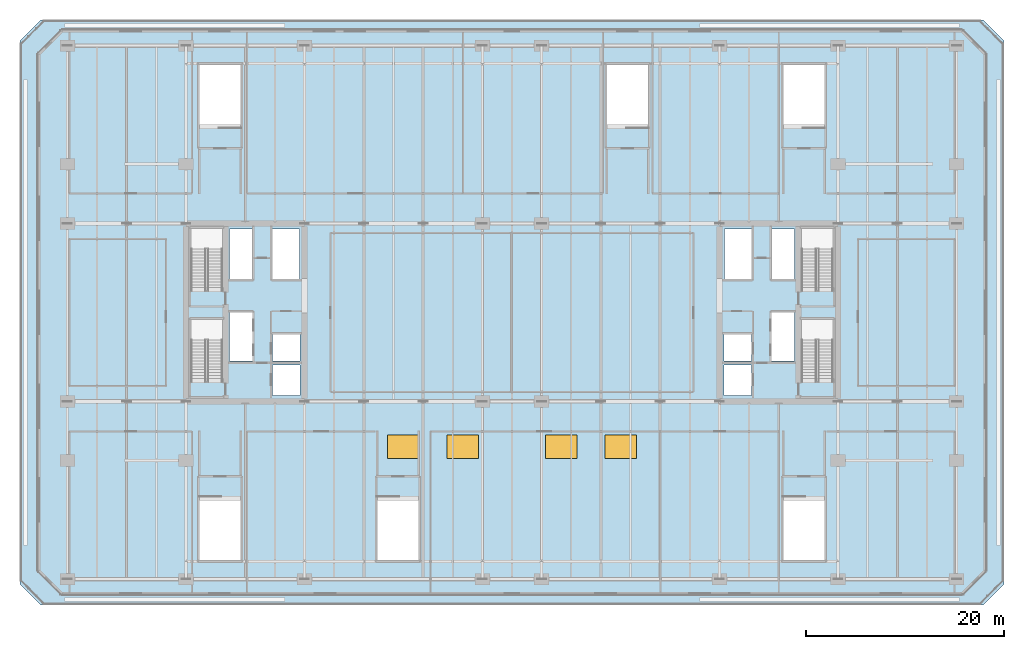
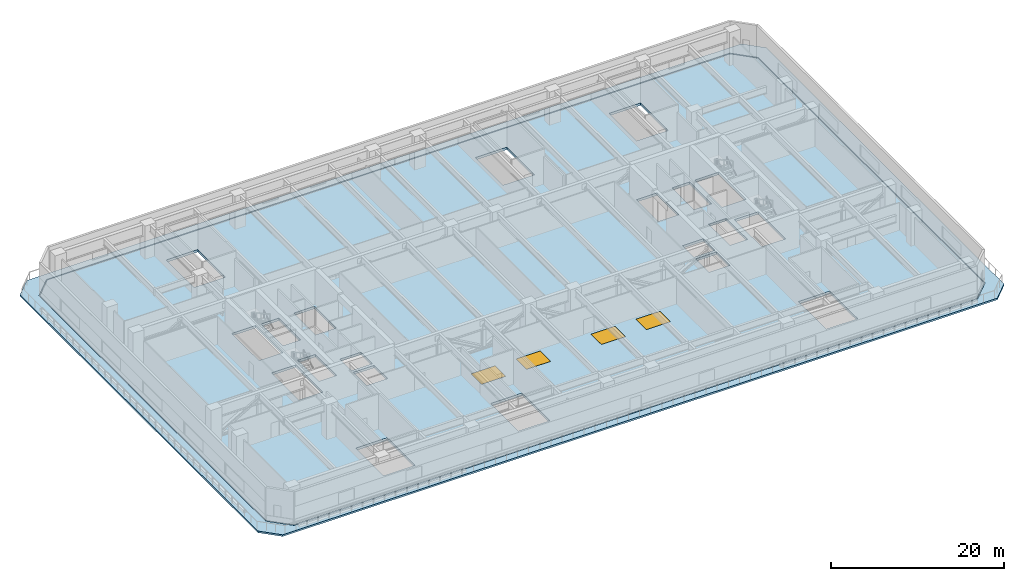
# One storey, part 6 of 25: 4 windows, 2 slabs, 4 openings.
"""IFC4 building model written with IfcOpenShell, lengths in metres."""

from ifc_helpers import new_model, si_unit, direction, frame, origin, origin_2d, place, context, subcontext, project, spatial, polyline, rectangle, outline, extrude, material, layer, layer_set, type_object, element, fill, save


model = new_model("IFC4")

# Units and contexts
model_context = context("Model", 3, precision=1e-05, world=origin(), true_north=direction((0.0, 1.0)))
body_context = subcontext(model_context, "Body", "Model", "MODEL_VIEW")
ifc_project = project(units=[si_unit("LENGTHUNIT", "METRE"), si_unit("AREAUNIT", "SQUARE_METRE"), si_unit("VOLUMEUNIT", "CUBIC_METRE"), si_unit("PLANEANGLEUNIT", "RADIAN"), si_unit("MASSUNIT", "GRAM", prefix="KILO")], contexts=[model_context])

# Site, building, storey
site_placement = place(None, origin())
site = spatial("IfcSite", under=ifc_project, at=site_placement, CompositionType="ELEMENT")
building_placement = place(site_placement, origin())
building = spatial("IfcBuilding", under=site, at=building_placement, Name="Tanjung Sevakor Pilgrim Tower", CompositionType="ELEMENT")
storey_placement = place(building_placement, frame((0.0, 0.0, 24.090087890625)))
storey = spatial("IfcBuildingStorey", under=building, at=storey_placement, Name="L06", CompositionType="ELEMENT", Elevation=24.090087890625)

# Slab
ifc_material_1 = material(Name="Concrete C40/50", Category="concrete")
ifc_layer_1 = layer(ifc_material_1, 0.239990234375)
ifc_layer_set_1 = layer_set([ifc_layer_1], Name="SL-TER-240")
slab_type_1 = type_object("IfcSlabType", Name="SL-TER-240", PredefinedType="FLOOR", material=ifc_layer_set_1)
slab_1_placement = place(storey_placement, frame((0.0, 0.0, -0.239990234375)))
element("IfcSlab", 1, at=slab_1_placement, inside=storey, type_object=slab_type_1, Name="L06 Cascade Garden Terrace Ring", PredefinedType="FLOOR", context=body_context, shape_type="SweptSolid", body=[
    extrude(outline(polyline([(9.300048828125, 4.0), (104.699951171875, 4.0), (106.800048828125, 6.10009765625), (106.800048828125, 61.10009765625), (104.699951171875, 63.199951171875), (9.300048828125, 63.199951171875), (7.199951171875, 61.10009765625), (7.199951171875, 6.10009765625), (9.300048828125, 4.0)]), holes=[polyline([(11.38818359375, 4.97998046875), (102.61181640625, 4.97998046875), (105.02001953125, 7.38818359375), (105.02001953125, 59.811767578125), (102.61181640625, 62.219970703125), (11.38818359375, 62.219970703125), (8.97998046875, 59.811767578125), (8.97998046875, 7.38818359375), (11.38818359375, 4.97998046875)])]), origin(), (0.0, 0.0, 1.0), 0.239990234375),
])

# Slab, openings, windows
ifc_material_2 = material(Name="Concrete C40/50", Category="concrete")
ifc_layer_2 = layer(ifc_material_2, 0.35009765625)
ifc_layer_set_2 = layer_set([ifc_layer_2], Name="SL-TRF-350")
slab_type_2 = type_object("IfcSlabType", Name="SL-TRF-350", PredefinedType="FLOOR", material=ifc_layer_set_2)
slab_2_placement = place(storey_placement, frame((0.0, 0.0, -0.35009765625)))
slab_2 = element("IfcSlab", 2, at=slab_2_placement, inside=storey, type_object=slab_type_2, Name="L06 Floor Slab MAIN", PredefinedType="FLOOR", context=body_context, shape_type="SweptSolid", body=[
    extrude(outline(polyline([(11.447021484375, 5.080078125), (102.552978515625, 5.080078125), (104.919921875, 7.447021484375), (104.919921875, 59.753173828125), (102.552978515625, 62.1201171875), (11.447021484375, 62.1201171875), (9.080078125, 59.753173828125), (9.080078125, 7.447021484375), (11.447021484375, 5.080078125)]), holes=[polyline([(27.699951171875, 26.60009765625), (27.699951171875, 32.89990234375), (24.5, 32.89990234375), (24.5, 26.60009765625), (27.699951171875, 26.60009765625)]), polyline([(27.699951171875, 35.800048828125), (27.699951171875, 42.10009765625), (24.5, 42.10009765625), (24.5, 35.800048828125), (27.699951171875, 35.800048828125)]), polyline([(89.5, 26.60009765625), (89.5, 32.89990234375), (86.300048828125, 32.89990234375), (86.300048828125, 26.60009765625), (89.5, 26.60009765625)]), polyline([(89.5, 35.800048828125), (89.5, 42.10009765625), (86.300048828125, 42.10009765625), (86.300048828125, 35.800048828125), (89.5, 35.800048828125)]), polyline([(25.35009765625, 14.89990234375), (25.35009765625, 8.5), (29.550048828125, 8.5), (29.550048828125, 14.89990234375), (25.35009765625, 14.89990234375)]), polyline([(29.550048828125, 52.300048828125), (29.550048828125, 58.699951171875), (25.35009765625, 58.699951171875), (25.35009765625, 52.300048828125), (29.550048828125, 52.300048828125)]), polyline([(43.35009765625, 14.89990234375), (43.35009765625, 8.5), (47.550048828125, 8.5), (47.550048828125, 14.89990234375), (43.35009765625, 14.89990234375)]), polyline([(70.800048828125, 52.300048828125), (70.800048828125, 58.699951171875), (66.60009765625, 58.699951171875), (66.60009765625, 52.300048828125), (70.800048828125, 52.300048828125)]), polyline([(84.449951171875, 14.89990234375), (84.449951171875, 8.5), (88.64990234375, 8.5), (88.64990234375, 14.89990234375), (84.449951171875, 14.89990234375)]), polyline([(88.64990234375, 52.300048828125), (88.64990234375, 58.699951171875), (84.449951171875, 58.699951171875), (84.449951171875, 52.300048828125), (88.64990234375, 52.300048828125)]), polyline([(32.75, 25.199951171875), (35.550048828125, 25.199951171875), (35.550048828125, 28.300048828125), (32.75, 28.300048828125), (32.75, 25.199951171875)]), polyline([(32.75, 28.699951171875), (35.550048828125, 28.699951171875), (35.550048828125, 31.35009765625), (32.75, 31.35009765625), (32.75, 28.699951171875)]), polyline([(28.39990234375, 28.699951171875), (30.75, 28.699951171875), (30.75, 33.60009765625), (28.39990234375, 33.60009765625), (28.39990234375, 28.699951171875)]), polyline([(28.39990234375, 37.0), (30.75, 37.0), (30.75, 42.050048828125), (28.39990234375, 42.050048828125), (28.39990234375, 37.0)]), polyline([(32.75, 37.0), (35.5, 37.0), (35.5, 42.050048828125), (32.75, 42.050048828125), (32.75, 37.0)]), polyline([(78.449951171875, 25.199951171875), (81.25, 25.199951171875), (81.25, 28.300048828125), (78.449951171875, 28.300048828125), (78.449951171875, 25.199951171875)]), polyline([(78.449951171875, 28.699951171875), (81.25, 28.699951171875), (81.25, 31.35009765625), (78.449951171875, 31.35009765625), (78.449951171875, 28.699951171875)]), polyline([(83.25, 28.699951171875), (85.60009765625, 28.699951171875), (85.60009765625, 33.60009765625), (83.25, 33.60009765625), (83.25, 28.699951171875)]), polyline([(83.25, 37.0), (85.60009765625, 37.0), (85.60009765625, 42.050048828125), (83.25, 42.050048828125), (83.25, 37.0)]), polyline([(78.5, 37.0), (81.25, 37.0), (81.25, 42.050048828125), (78.5, 42.050048828125), (78.5, 37.0)])]), origin(), (0.0, 0.0, 1.0), 0.35009765625),
])
opening_1_placement = place(slab_2_placement, frame((46.0, 20.0, 0.0)))
opening_1 = element("IfcOpeningElement", 3, at=opening_1_placement, cuts=slab_2, Name="Opening SK-POD1", PredefinedType="OPENING", context=body_context, shape_type="SweptSolid", body=[
    extrude(rectangle(XDim=3.199951171875, YDim=2.39990234375, at=origin_2d()), origin(), (0.0, 0.0, 1.0), 0.35009765625),
])
opening_2_placement = place(slab_2_placement, frame((52.0, 20.0, 0.0)))
opening_2 = element("IfcOpeningElement", 4, at=opening_2_placement, cuts=slab_2, Name="Opening SK-POD1", PredefinedType="OPENING", context=body_context, shape_type="SweptSolid", body=[
    extrude(rectangle(XDim=3.199951171875, YDim=2.39990234375, at=origin_2d()), origin(), (0.0, 0.0, 1.0), 0.35009765625),
])
opening_3_placement = place(slab_2_placement, frame((62.0, 20.0, 0.0)))
opening_3 = element("IfcOpeningElement", 5, at=opening_3_placement, cuts=slab_2, Name="Opening SK-POD1", PredefinedType="OPENING", context=body_context, shape_type="SweptSolid", body=[
    extrude(rectangle(XDim=3.199951171875, YDim=2.39990234375, at=origin_2d()), origin(), (0.0, 0.0, 1.0), 0.35009765625),
])
opening_4_placement = place(slab_2_placement, frame((68.0, 20.0, 0.0)))
opening_4 = element("IfcOpeningElement", 6, at=opening_4_placement, cuts=slab_2, Name="Opening SK-POD1", PredefinedType="OPENING", context=body_context, shape_type="SweptSolid", body=[
    extrude(rectangle(XDim=3.199951171875, YDim=2.39990234375, at=origin_2d()), origin(), (0.0, 0.0, 1.0), 0.35009765625),
])
ifc_material_3 = material(Name="Thermally Broken Aluminium and Low-E Glass", Category="aluminium")
window_type = type_object("IfcWindowType", Name="WTYP-SK-POD1", PartitioningType="DOUBLE_PANEL_VERTICAL", PredefinedType="SKYLIGHT", material=ifc_material_3)
window_1_placement = place(opening_1_placement, frame((0.0, 0.0, 0.300048828125)))
window_1 = element("IfcWindow", 7, at=window_1_placement, inside=storey, type_object=window_type, Name="L06 Podium Roof Skylight 1", OverallHeight=2.39990234375, OverallWidth=3.199951171875, PartitioningType="SINGLE_PANEL", PredefinedType="SKYLIGHT", context=body_context, shape_type="SweptSolid", body=[
    extrude(rectangle(XDim=3.199951171875, YDim=2.39990234375, at=origin_2d()), origin(), (0.0, 0.0, 1.0), 0.050048828125),
])
fill(opening_1, window_1)
window_2_placement = place(opening_2_placement, frame((0.0, 0.0, 0.300048828125)))
window_2 = element("IfcWindow", 8, at=window_2_placement, inside=storey, type_object=window_type, Name="L06 Podium Roof Skylight 2", OverallHeight=2.39990234375, OverallWidth=3.199951171875, PartitioningType="SINGLE_PANEL", PredefinedType="SKYLIGHT", context=body_context, shape_type="SweptSolid", body=[
    extrude(rectangle(XDim=3.199951171875, YDim=2.39990234375, at=origin_2d()), origin(), (0.0, 0.0, 1.0), 0.050048828125),
])
fill(opening_2, window_2)
window_3_placement = place(opening_3_placement, frame((0.0, 0.0, 0.300048828125)))
window_3 = element("IfcWindow", 9, at=window_3_placement, inside=storey, type_object=window_type, Name="L06 Podium Roof Skylight 3", OverallHeight=2.39990234375, OverallWidth=3.199951171875, PartitioningType="SINGLE_PANEL", PredefinedType="SKYLIGHT", context=body_context, shape_type="SweptSolid", body=[
    extrude(rectangle(XDim=3.199951171875, YDim=2.39990234375, at=origin_2d()), origin(), (0.0, 0.0, 1.0), 0.050048828125),
])
fill(opening_3, window_3)
window_4_placement = place(opening_4_placement, frame((0.0, 0.0, 0.300048828125)))
window_4 = element("IfcWindow", 10, at=window_4_placement, inside=storey, type_object=window_type, Name="L06 Podium Roof Skylight 4", OverallHeight=2.39990234375, OverallWidth=3.199951171875, PartitioningType="SINGLE_PANEL", PredefinedType="SKYLIGHT", context=body_context, shape_type="SweptSolid", body=[
    extrude(rectangle(XDim=3.199951171875, YDim=2.39990234375, at=origin_2d()), origin(), (0.0, 0.0, 1.0), 0.050048828125),
])
fill(opening_4, window_4)

save(model, "model.ifc")
